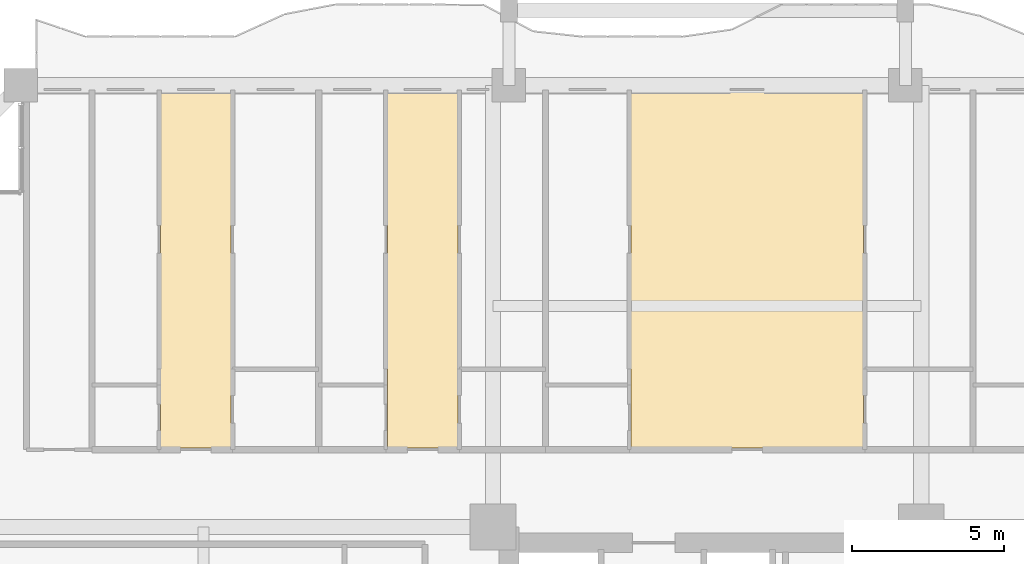
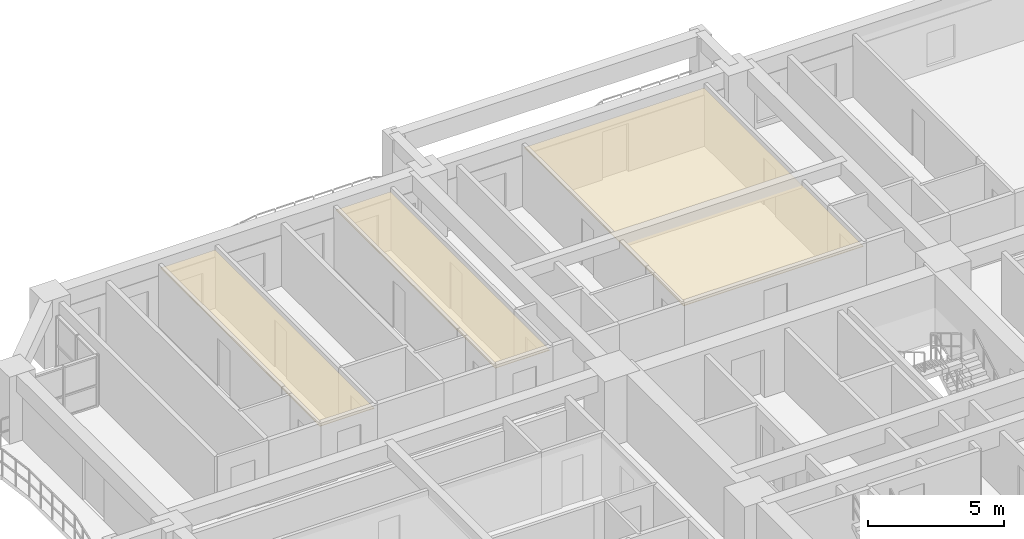
# One storey, part 26 of 27: 3 coverings.
"""IFC4 building model written with IfcOpenShell, lengths in metres."""

import ifcopenshell
import ifcopenshell.guid

model = None  # the IFC model being written
_history = None  # IfcOwnerHistory: only IFC2X3 demands one
_inside = {}  # id of a spatial element -> (the spatial element, [elements in it])
_under = {}  # id of a project, library or spatial element -> (it, [spatial elements below it])
_declared = {}  # id of a project -> (the project, [libraries it declares])
_typed = {}  # id of a type object -> (the type object, [elements of that type])
_made_of = {}  # id of a material, layer set ... -> (it, [elements and type objects made of it])


def new_model(schema):
    """Start an empty IFC model of exactly this schema.

    Asked for "IFC4X3", IfcOpenShell would pick the latest addendum, in which some entities
    have other attributes; the version numbers below select the first issue.
    IFC2X3 requires an IfcOwnerHistory on every rooted entity: one is made here for all.
    """
    global model, _history
    if schema == "IFC4X3":
        model = ifcopenshell.file(schema_version=(4, 3, 0, 0))
    else:
        model = ifcopenshell.file(schema=schema)
    _inside.clear()
    _under.clear()
    _declared.clear()
    _typed.clear()
    _made_of.clear()
    _history = None
    if model.schema == "IFC2X3":
        org = make("IfcOrganization", Name="unknown")
        user = make(
            "IfcPersonAndOrganization",
            ThePerson=make("IfcPerson", FamilyName="unknown"),
            TheOrganization=org,
        )
        app = make(
            "IfcApplication",
            ApplicationDeveloper=org,
            Version="unknown",
            ApplicationFullName="unknown",
            ApplicationIdentifier="unknown",
        )
        _history = make(
            "IfcOwnerHistory",
            OwningUser=user,
            OwningApplication=app,
            ChangeAction="ADDED",
            CreationDate=0,
        )
    return model


def make(cls, **values):
    """One entity of the class cls with the attributes given. An attribute that is None is left unset."""
    return model.create_entity(
        cls, **{name: value for name, value in values.items() if value is not None}
    )


def rooted(cls, **values):
    """An entity with a GlobalId (a new one), such as an element, a storey or a relation."""
    return make(cls, GlobalId=ifcopenshell.guid.new(), OwnerHistory=_history, **values)


def si_unit(unit_type, name, prefix=None):
    """IfcSIUnit, for example si_unit("LENGTHUNIT", "METRE", prefix="MILLI")."""
    return make("IfcSIUnit", UnitType=unit_type, Prefix=prefix, Name=name)


def assignment(units):
    """IfcUnitAssignment: the units of a project."""
    return None if units is None else make("IfcUnitAssignment", Units=units)


def point(xyz):
    """IfcCartesianPoint."""
    return None if xyz is None else make("IfcCartesianPoint", Coordinates=xyz)


def direction(xyz):
    """IfcDirection."""
    return None if xyz is None else make("IfcDirection", DirectionRatios=xyz)


def frame(location, z_axis=None, x_axis=None):
    """IfcAxis2Placement3D, a coordinate frame: its origin and axes. An axis left out is left unset."""
    return make(
        "IfcAxis2Placement3D",
        Location=point(location),
        Axis=direction(z_axis),
        RefDirection=direction(x_axis),
    )


def origin():
    """The frame at (0, 0, 0) with its axes left unset."""
    return frame((0.0, 0.0, 0.0))


def place(relative_to, where):
    """IfcLocalPlacement: puts the frame where relative to a parent placement (None: the world)."""
    return make(
        "IfcLocalPlacement", PlacementRelTo=relative_to, RelativePlacement=where
    )


def context(
    kind, dimensions, precision=None, world=None, true_north=None, identifier=None
):
    """IfcGeometricRepresentationContext, for example the 3D "Model" context."""
    return make(
        "IfcGeometricRepresentationContext",
        ContextIdentifier=identifier,
        ContextType=kind,
        CoordinateSpaceDimension=dimensions,
        Precision=precision,
        WorldCoordinateSystem=world,
        TrueNorth=true_north,
    )


def subcontext(parent, identifier, kind, view, scale=None):
    """IfcGeometricRepresentationSubContext, for example "Body" below "Model"."""
    return make(
        "IfcGeometricRepresentationSubContext",
        ContextIdentifier=identifier,
        ContextType=kind,
        ParentContext=parent,
        TargetScale=scale,
        TargetView=view,
    )


def project(units=None, contexts=None):
    """IfcProject with its units and contexts."""
    return rooted(
        "IfcProject",
        Name="project",
        RepresentationContexts=contexts,
        UnitsInContext=assignment(units),
    )


def spatial(cls, under=None, at=None, **own):
    """A site, building, storey or space (cls), placed at a placement, below another one or the project."""
    s = rooted(cls, ObjectPlacement=at, **own)
    if under is not None:
        _under.setdefault(under.id(), (under, []))[1].append(s)
    return s


def polyline(points):
    """IfcPolyline through the points."""
    return make("IfcPolyline", Points=[point(p) for p in points])


def outline(outer, holes=None, kind="AREA"):
    """IfcArbitraryClosedProfileDef: a profile drawn as a closed curve; with holes, ...WithVoids."""
    if holes is None:
        return make("IfcArbitraryClosedProfileDef", ProfileType=kind, OuterCurve=outer)
    return make(
        "IfcArbitraryProfileDefWithVoids",
        ProfileType=kind,
        OuterCurve=outer,
        InnerCurves=holes,
    )


def extrude(swept, where, along, depth):
    """IfcExtrudedAreaSolid: the profile swept, set in the frame where, extruded along a direction by depth."""
    return make(
        "IfcExtrudedAreaSolid",
        SweptArea=swept,
        Position=where,
        ExtrudedDirection=direction(along),
        Depth=depth,
    )


def shape(context_of_items, identifier, shape_type, items):
    """IfcShapeRepresentation: the items that make up one representation, for example the "Body"."""
    return make(
        "IfcShapeRepresentation",
        ContextOfItems=context_of_items,
        RepresentationIdentifier=identifier,
        RepresentationType=shape_type,
        Items=items,
    )


def material(Name=None, Category=None):
    """IfcMaterial."""
    return make("IfcMaterial", Name=Name, Category=Category)


def layer(
    of_material, thickness, ventilated=None, Name=None, Category=None, Priority=None
):
    """IfcMaterialLayer: one layer of a wall or slab, of a material (None: an air gap)."""
    return make(
        "IfcMaterialLayer",
        Material=of_material,
        LayerThickness=thickness,
        IsVentilated=ventilated,
        Name=Name,
        Category=Category,
        Priority=Priority,
    )


def layer_set(layers, Name=None):
    """IfcMaterialLayerSet."""
    return make("IfcMaterialLayerSet", MaterialLayers=layers, LayerSetName=Name)


def made_of(thing, what):
    """Note that an element or type object is made of a material, layer set ...; save() writes the relation."""
    if what is not None:
        _made_of.setdefault(what.id(), (what, []))[1].append(thing)
    return thing


def type_object(cls, material=None, **own):
    """A type object (cls), such as IfcWallType, which elements share."""
    return made_of(rooted(cls, **own), material)


def element(
    cls,
    number,
    at=None,
    inside=None,
    cuts=None,
    type_object=None,
    material=None,
    context=None,
    identifier="Body",
    shape_type=None,
    held_by="IfcProductDefinitionShape",
    body=None,
    shapes=None,
    **own,
):
    """One element of the class cls, such as IfcWall. Its Tag is "e" and its number.

    at: its placement. inside: the storey or other place that contains it. cuts: it is an
    opening in that element (IfcRelVoidsElement). A single representation is given by context,
    identifier, shape_type and body (its items); several are given by shapes. held_by: the class
    of the entity that holds the representations. save() writes the other relations.
    """
    e = rooted(cls, Tag="e%d" % number, ObjectPlacement=at, **own)
    if body is not None:
        shapes = [shape(context, identifier, shape_type, body)]
    if shapes is not None:
        e.Representation = make(held_by, Representations=shapes)
    if inside is not None:
        _inside.setdefault(inside.id(), (inside, []))[1].append(e)
    if cuts is not None:
        rooted(
            "IfcRelVoidsElement", RelatingBuildingElement=cuts, RelatedOpeningElement=e
        )
    if type_object is not None:
        _typed.setdefault(type_object.id(), (type_object, []))[1].append(e)
    return made_of(e, material)


def aggregate(whole, parts):
    """IfcRelAggregates: a whole, such as a stair, and the parts it consists of."""
    return rooted("IfcRelAggregates", RelatingObject=whole, RelatedObjects=parts)


def save(model, path):
    """Write the relations noted so far, then the file.

    IfcRelAggregates (storeys below a building ...), IfcRelContainedInSpatialStructure (elements
    in a storey), IfcRelDefinesByType, IfcRelAssociatesMaterial and IfcRelDeclares: one each for
    every whole, place, type object, material and project.
    """
    for whole, parts in _under.values():
        aggregate(whole, parts)
    for where, things in _inside.values():
        rooted(
            "IfcRelContainedInSpatialStructure",
            RelatedElements=things,
            RelatingStructure=where,
        )
    for kind, things in _typed.values():
        rooted("IfcRelDefinesByType", RelatedObjects=things, RelatingType=kind)
    for what, things in _made_of.values():
        rooted("IfcRelAssociatesMaterial", RelatedObjects=things, RelatingMaterial=what)
    for by, libraries in _declared.values():
        rooted("IfcRelDeclares", RelatingContext=by, RelatedDefinitions=libraries)
    model.write(path)


model = new_model("IFC4")

# Units and contexts
model_context = context("Model", 3, precision=1e-05, world=origin(), true_north=direction((0.0, 1.0)))
body_context = subcontext(model_context, "Body", "Model", "MODEL_VIEW")
ifc_project = project(units=[si_unit("LENGTHUNIT", "METRE"), si_unit("AREAUNIT", "SQUARE_METRE"), si_unit("VOLUMEUNIT", "CUBIC_METRE"), si_unit("PLANEANGLEUNIT", "RADIAN"), si_unit("MASSUNIT", "GRAM", prefix="KILO")], contexts=[model_context])

# Site, building, storey
site_placement = place(None, origin())
site = spatial("IfcSite", under=ifc_project, at=site_placement, CompositionType="ELEMENT")
building_placement = place(site_placement, origin())
building = spatial("IfcBuilding", under=site, at=building_placement, Name="Saelheon Loggia Tower", CompositionType="ELEMENT")
storey_placement = place(building_placement, frame((0.0, 0.0, 52.39990234375)))
storey = spatial("IfcBuildingStorey", under=building, at=storey_placement, Name="L16", CompositionType="ELEMENT", Elevation=52.39990234375)

# Coverings
ifc_material = material(Name="Mineral-Fibre Acoustic Ceiling Board", Category="gypsum")
ifc_layer = layer(ifc_material, 0.02490234375)
ifc_layer_set = layer_set([ifc_layer], Name="Mineral-Fibre Acoustic Ceiling Board")
covering_type = type_object("IfcCoveringType", Name="Cov_Ceiling_Acoustic", PredefinedType="CEILING", material=ifc_layer_set)
covering_1_placement = place(storey_placement, frame((0.0, 0.0, 2.53515625)))
element("IfcCovering", 1, at=covering_1_placement, inside=storey, type_object=covering_type, Name="L16 Acoustic Suspended Ceiling", PredefinedType="CEILING", context=body_context, shape_type="SweptSolid", body=[
    extrude(outline(polyline([(20.080078125, 39.10009765625), (22.39013671875, 39.10009765625), (22.39013671875, 50.800048828125), (20.080078125, 50.800048828125), (20.080078125, 39.10009765625)])), origin(), (0.0, 0.0, 1.0), 0.02490234375),
])
covering_2_placement = place(storey_placement, frame((0.0, 0.0, 2.53515625)))
element("IfcCovering", 2, at=covering_2_placement, inside=storey, type_object=covering_type, Name="L16 Acoustic Suspended Ceiling", PredefinedType="CEILING", context=body_context, shape_type="SweptSolid", body=[
    extrude(outline(polyline([(27.515869140625, 39.10009765625), (29.825927734375, 39.10009765625), (29.825927734375, 50.800048828125), (27.515869140625, 50.800048828125), (27.515869140625, 39.10009765625)])), origin(), (0.0, 0.0, 1.0), 0.02490234375),
])
covering_3_placement = place(storey_placement, frame((0.0, 0.0, 2.53515625)))
element("IfcCovering", 3, at=covering_3_placement, inside=storey, type_object=covering_type, Name="L16 Acoustic Suspended Ceiling", PredefinedType="CEILING", context=body_context, shape_type="SweptSolid", body=[
    extrude(outline(polyline([(35.50146484375, 39.10009765625), (43.125244140625, 39.10009765625), (43.125244140625, 50.800048828125), (35.50146484375, 50.800048828125), (35.50146484375, 39.10009765625)])), origin(), (0.0, 0.0, 1.0), 0.02490234375),
])

save(model, "model.ifc")
